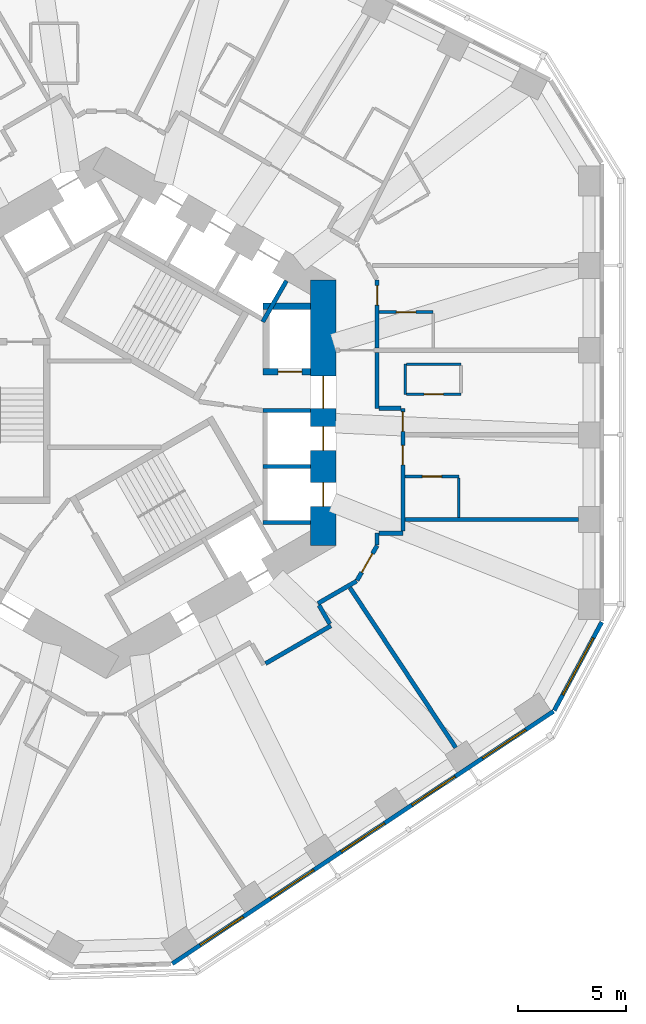
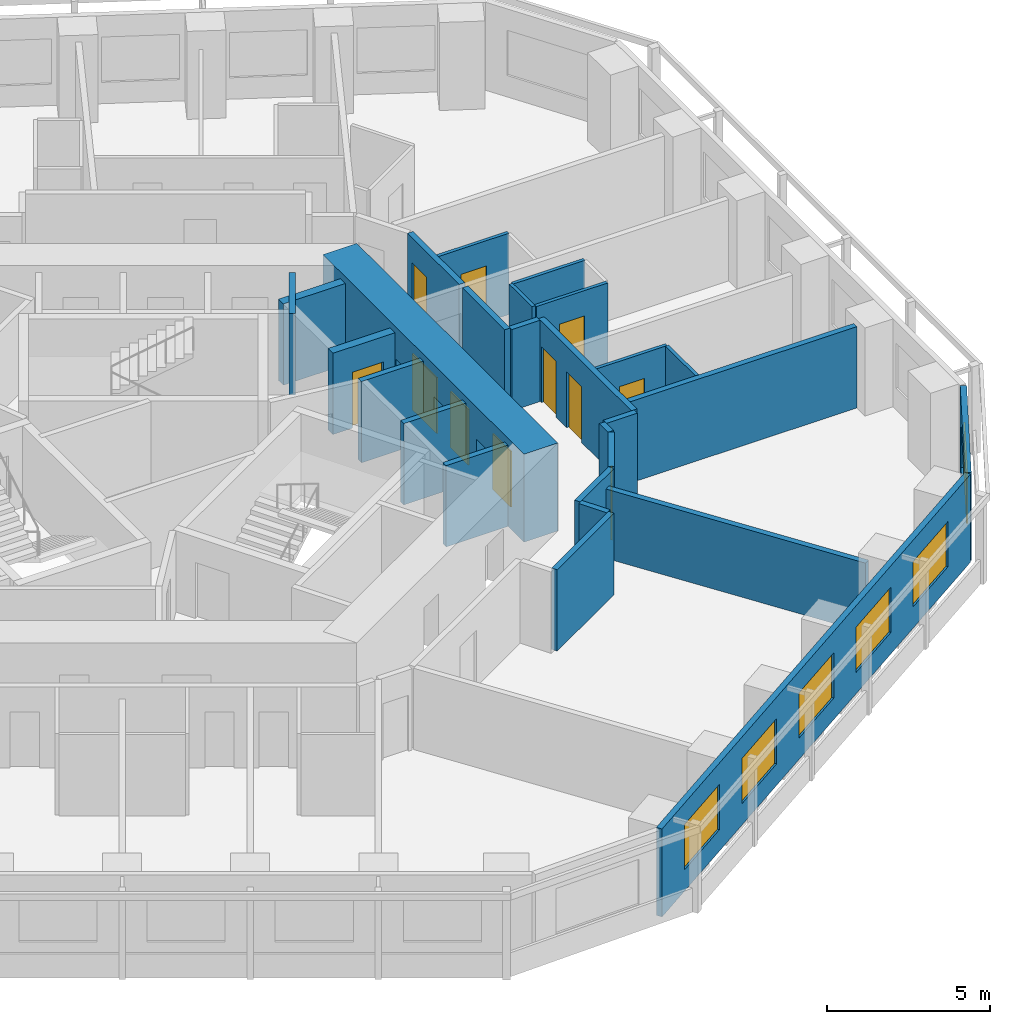
# One storey, part 6 of 12: 27 walls, 11 doors, 6 windows, 17 openings.
"""IFC4 building model written with IfcOpenShell, lengths in metres."""

from ifc_helpers import new_model, si_unit, direction, frame, frame_2d, origin, place, context, subcontext, project, spatial, rectangle, extrude, material, layer, layer_set, type_object, element, fill, save


model = new_model("IFC4")

# Units and contexts
model_context = context("Model", 3, precision=1e-05, world=origin(), true_north=direction((0.0, 1.0)))
body_context = subcontext(model_context, "Body", "Model", "MODEL_VIEW")
ifc_project = project(units=[si_unit("LENGTHUNIT", "METRE"), si_unit("AREAUNIT", "SQUARE_METRE"), si_unit("VOLUMEUNIT", "CUBIC_METRE"), si_unit("PLANEANGLEUNIT", "RADIAN"), si_unit("MASSUNIT", "GRAM", prefix="KILO")], contexts=[model_context])

# Site, building, storey
site_placement = place(None, origin())
site = spatial("IfcSite", under=ifc_project, at=site_placement, CompositionType="ELEMENT")
building_placement = place(site_placement, origin())
building = spatial("IfcBuilding", under=site, at=building_placement, Name="Vanh Sen Convention Tower", CompositionType="ELEMENT")
storey_placement = place(building_placement, frame((0.0, 0.0, 86.89990234375)))
storey = spatial("IfcBuildingStorey", under=building, at=storey_placement, Name="L19", CompositionType="ELEMENT", Elevation=86.89990234375)

# Wall, opening, door
ifc_material_1 = material(Name="Moisture-resistant gypsum board on steel studs", Category="steel")
ifc_layer_1 = layer(ifc_material_1, 0.1201171875)
ifc_layer_set_1 = layer_set([ifc_layer_1], Name="Moisture-resistant gypsum board on steel studs")
wall_type_1 = type_object("IfcWallType", Name="Bathroom partition 120", PredefinedType="PARTITIONING", material=ifc_layer_set_1)
wall_1_placement = place(storey_placement, frame((12.699951171875, 4.677490234375, 0.0), z_axis=(0.0, 0.0, 1.0), x_axis=(1.0, 0.0, 0.0)))
wall_1 = element("IfcWall", 1, at=wall_1_placement, inside=storey, type_object=wall_type_1, Name="Bathroom partition 120", PredefinedType="PARTITIONING", context=body_context, shape_type="SweptSolid", body=[
    extrude(rectangle(XDim=2.5, YDim=0.1201171875, at=frame_2d((1.25, 0.0))), origin(), (0.0, 0.0, 1.0), 3.050048828125),
])
opening_1_placement = place(wall_1_placement, frame((0.800048828125, 0.0, 0.0)))
opening_1 = element("IfcOpeningElement", 2, at=opening_1_placement, cuts=wall_1, Name="Opening D19106", PredefinedType="OPENING", context=body_context, shape_type="SweptSolid", body=[
    extrude(rectangle(XDim=0.89990234375, YDim=2.10009765625, at=frame_2d((0.449951171875, 1.050048828125))), frame((0.0, 0.070068359375, 0.0), z_axis=(0.0, -1.0, 0.0), x_axis=(1.0, 0.0, 0.0)), (0.0, 0.0, 1.0), 0.14013671875),
])
ifc_material_2 = material(Name="Laminate door in steel frame", Category="steel")
door_type_1 = type_object("IfcDoorType", Name="En-suite door 900", OperationType="SINGLE_SWING_LEFT", PredefinedType="DOOR", material=ifc_material_2)
door_1_placement = place(opening_1_placement, origin())
door_1 = element("IfcDoor", 3, at=door_1_placement, inside=storey, type_object=door_type_1, Name="En-suite door D19106", OperationType="SINGLE_SWING_LEFT", OverallHeight=2.10009765625, OverallWidth=0.89990234375, PredefinedType="DOOR", context=body_context, shape_type="SweptSolid", body=[
    extrude(rectangle(XDim=0.89990234375, YDim=2.10009765625, at=frame_2d((0.449951171875, 1.050048828125))), frame((0.0, 0.02490234375, 0.0), z_axis=(0.0, -1.0, 0.0), x_axis=(1.0, 0.0, 0.0)), (0.0, 0.0, 1.0), 0.050048828125),
])
fill(opening_1, door_1)

wall_2_placement = place(storey_placement, frame((13.90087890625, -2.964599609375, 0.0), z_axis=(0.0, 0.0, 1.0), x_axis=(1.0, 0.0, 0.0)))
wall_2 = element("IfcWall", 4, at=wall_2_placement, inside=storey, type_object=wall_type_1, Name="Bathroom partition 120", PredefinedType="PARTITIONING", context=body_context, shape_type="SweptSolid", body=[
    extrude(rectangle(XDim=2.5, YDim=0.1201171875, at=frame_2d((1.25, 0.0))), origin(), (0.0, 0.0, 1.0), 3.050048828125),
])
opening_2_placement = place(wall_2_placement, frame((0.800048828125, 0.0, 0.0)))
opening_2 = element("IfcOpeningElement", 5, at=opening_2_placement, cuts=wall_2, Name="Opening D19102", PredefinedType="OPENING", context=body_context, shape_type="SweptSolid", body=[
    extrude(rectangle(XDim=0.89990234375, YDim=2.10009765625, at=frame_2d((0.449951171875, 1.050048828125))), frame((0.0, 0.070068359375, 0.0), z_axis=(0.0, -1.0, 0.0), x_axis=(1.0, 0.0, 0.0)), (0.0, 0.0, 1.0), 0.14013671875),
])
door_2_placement = place(opening_2_placement, origin())
door_2 = element("IfcDoor", 6, at=door_2_placement, inside=storey, type_object=door_type_1, Name="En-suite door D19102", OperationType="SINGLE_SWING_LEFT", OverallHeight=2.10009765625, OverallWidth=0.89990234375, PredefinedType="DOOR", context=body_context, shape_type="SweptSolid", body=[
    extrude(rectangle(XDim=0.89990234375, YDim=2.10009765625, at=frame_2d((0.449951171875, 1.050048828125))), frame((0.0, 0.02490234375, 0.0), z_axis=(0.0, -1.0, 0.0), x_axis=(1.0, 0.0, 0.0)), (0.0, 0.0, 1.0), 0.050048828125),
])
fill(opening_2, door_2)

# Walls
wall_3_placement = place(storey_placement, frame((13.89990234375, 0.852783203125, 0.0), z_axis=(0.0, 0.0, 1.0), x_axis=(0.0, 1.0, 0.0)))
element("IfcWall", 7, at=wall_3_placement, inside=storey, type_object=wall_type_1, Name="Bathroom partition 120", PredefinedType="PARTITIONING", context=body_context, shape_type="SweptSolid", body=[
    extrude(rectangle(XDim=1.39990234375, YDim=0.1201171875, at=frame_2d((0.699951171875, 0.0))), origin(), (0.0, 0.0, 1.0), 3.050048828125),
])
wall_4_placement = place(storey_placement, frame((13.9599609375, 2.252685546875, 0.0), z_axis=(0.0, 0.0, 1.0), x_axis=(1.0, 0.0, 0.0)))
element("IfcWall", 8, at=wall_4_placement, inside=storey, type_object=wall_type_1, Name="Bathroom partition 120", PredefinedType="PARTITIONING", context=body_context, shape_type="SweptSolid", body=[
    extrude(rectangle(XDim=2.5400390625, YDim=0.1201171875, at=frame_2d((1.27001953125, 0.0))), origin(), (0.0, 0.0, 1.0), 3.050048828125),
])
wall_5_placement = place(storey_placement, frame((16.40087890625, -3.024658203125, 0.0), z_axis=(0.0, 0.0, 1.0), x_axis=(0.0, -1.0, 0.0)))
element("IfcWall", 9, at=wall_5_placement, inside=storey, type_object=wall_type_1, Name="Bathroom partition 120", PredefinedType="PARTITIONING", context=body_context, shape_type="SweptSolid", body=[
    extrude(rectangle(XDim=1.83984375, YDim=0.1201171875, at=frame_2d((0.919921875, 0.0))), origin(), (0.0, 0.0, 1.0), 3.050048828125),
])

# Wall, opening, door
wall_6_placement = place(storey_placement, frame((16.5, 0.852783203125, 0.0), z_axis=(0.0, 0.0, 1.0), x_axis=(-1.0, 0.0, 0.0)))
wall_6 = element("IfcWall", 10, at=wall_6_placement, inside=storey, type_object=wall_type_1, Name="Bathroom partition 120", PredefinedType="PARTITIONING", context=body_context, shape_type="SweptSolid", body=[
    extrude(rectangle(XDim=2.5400390625, YDim=0.1201171875, at=frame_2d((1.27001953125, 0.0))), origin(), (0.0, 0.0, 1.0), 3.050048828125),
])
opening_3_placement = place(wall_6_placement, frame((0.820068359375, 0.0, 0.0)))
opening_3 = element("IfcOpeningElement", 11, at=opening_3_placement, cuts=wall_6, Name="Opening D19104", PredefinedType="OPENING", context=body_context, shape_type="SweptSolid", body=[
    extrude(rectangle(XDim=0.89990234375, YDim=2.10009765625, at=frame_2d((0.449951171875, 1.050048828125))), frame((0.0, 0.070068359375, 0.0), z_axis=(0.0, -1.0, 0.0), x_axis=(1.0, 0.0, 0.0)), (0.0, 0.0, 1.0), 0.14013671875),
])
door_3_placement = place(opening_3_placement, origin())
door_3 = element("IfcDoor", 12, at=door_3_placement, inside=storey, type_object=door_type_1, Name="En-suite door D19104", OperationType="SINGLE_SWING_LEFT", OverallHeight=2.10009765625, OverallWidth=0.89990234375, PredefinedType="DOOR", context=body_context, shape_type="SweptSolid", body=[
    extrude(rectangle(XDim=0.89990234375, YDim=2.10009765625, at=frame_2d((0.449951171875, 1.050048828125))), frame((0.0, 0.02490234375, 0.0), z_axis=(0.0, -1.0, 0.0), x_axis=(1.0, 0.0, 0.0)), (0.0, 0.0, 1.0), 0.050048828125),
])
fill(opening_3, door_3)

# Wall, openings, doors
ifc_material_3 = material(Name="Concrete C80/95", Category="concrete")
ifc_layer_2 = layer(ifc_material_3, 1.199951171875)
ifc_layer_set_2 = layer_set([ifc_layer_2], Name="Concrete C80/95")
wall_type_2 = type_object("IfcWallType", Name="Core outer wall 1200 C80/95", PredefinedType="SHEAR", material=ifc_layer_set_2)
wall_7_placement = place(storey_placement, frame((10.10009765625, -6.177490234375, 0.0), z_axis=(0.0, 0.0, 1.0), x_axis=(0.0, 1.0, 0.0)))
wall_7 = element("IfcWall", 13, at=wall_7_placement, inside=storey, type_object=wall_type_2, Name="Core wall face E L19", PredefinedType="SHEAR", context=body_context, shape_type="SweptSolid", body=[
    extrude(rectangle(XDim=12.35498046875, YDim=1.199951171875, at=frame_2d((6.177490234375, 0.0))), origin(), (0.0, 0.0, 1.0), 3.300048828125),
])
opening_4_placement = place(wall_7_placement, frame((6.377685546875, 0.0, 0.0)))
opening_4 = element("IfcOpeningElement", 14, at=opening_4_placement, cuts=wall_7, Name="Opening D19001", PredefinedType="OPENING", context=body_context, shape_type="SweptSolid", body=[
    extrude(rectangle(XDim=1.5, YDim=2.10009765625, at=frame_2d((0.75, 1.050048828125))), frame((0.0, 0.60986328125, 0.0), z_axis=(0.0, -1.0, 0.0), x_axis=(1.0, 0.0, 0.0)), (0.0, 0.0, 1.0), 1.219970703125),
])
opening_5_placement = place(wall_7_placement, frame((1.82763671875, 0.0, 0.0)))
opening_5 = element("IfcOpeningElement", 15, at=opening_5_placement, cuts=wall_7, Name="Opening LD-LR1", PredefinedType="OPENING", context=body_context, shape_type="SweptSolid", body=[
    extrude(rectangle(XDim=1.10009765625, YDim=2.10009765625, at=frame_2d((0.550048828125, 1.050048828125))), frame((0.0, 0.60986328125, 0.0), z_axis=(0.0, -1.0, 0.0), x_axis=(1.0, 0.0, 0.0)), (0.0, 0.0, 1.0), 1.219970703125),
])
opening_6_placement = place(wall_7_placement, frame((4.427490234375, 0.0, 0.0)))
opening_6 = element("IfcOpeningElement", 16, at=opening_6_placement, cuts=wall_7, Name="Opening LD-LR2", PredefinedType="OPENING", context=body_context, shape_type="SweptSolid", body=[
    extrude(rectangle(XDim=1.10009765625, YDim=2.10009765625, at=frame_2d((0.550048828125, 1.050048828125))), frame((0.0, 0.60986328125, 0.0), z_axis=(0.0, -1.0, 0.0), x_axis=(1.0, 0.0, 0.0)), (0.0, 0.0, 1.0), 1.219970703125),
])
ifc_material_4 = material(Name="Stainless steel", Category="steel")
door_type_2 = type_object("IfcDoorType", Name="Lift landing door 1100", OperationType="DOUBLE_DOOR_SLIDING", PredefinedType="DOOR", material=ifc_material_4)
door_4_placement = place(opening_5_placement, origin())
door_4 = element("IfcDoor", 17, at=door_4_placement, inside=storey, type_object=door_type_2, Name="Lift LR1 landing door LD-LR1", OperationType="DOUBLE_DOOR_SLIDING", OverallHeight=2.10009765625, OverallWidth=1.10009765625, PredefinedType="DOOR", context=body_context, shape_type="SweptSolid", body=[
    extrude(rectangle(XDim=1.10009765625, YDim=2.10009765625, at=frame_2d((0.550048828125, 1.050048828125))), frame((0.0, 0.02490234375, 0.0), z_axis=(0.0, -1.0, 0.0), x_axis=(1.0, 0.0, 0.0)), (0.0, 0.0, 1.0), 0.050048828125),
])
fill(opening_5, door_4)
door_5_placement = place(opening_6_placement, origin())
door_5 = element("IfcDoor", 18, at=door_5_placement, inside=storey, type_object=door_type_2, Name="Lift LR2 landing door LD-LR2", OperationType="DOUBLE_DOOR_SLIDING", OverallHeight=2.10009765625, OverallWidth=1.10009765625, PredefinedType="DOOR", context=body_context, shape_type="SweptSolid", body=[
    extrude(rectangle(XDim=1.10009765625, YDim=2.10009765625, at=frame_2d((0.550048828125, 1.050048828125))), frame((0.0, 0.02490234375, 0.0), z_axis=(0.0, -1.0, 0.0), x_axis=(1.0, 0.0, 0.0)), (0.0, 0.0, 1.0), 0.050048828125),
])
fill(opening_6, door_5)
ifc_material_5 = material(Name="Steel S355", Category="steel")
door_type_3 = type_object("IfcDoorType", Name="Stair lobby door 1500", OperationType="DOUBLE_DOOR_SINGLE_SWING", PredefinedType="DOOR", material=ifc_material_5)
door_6_placement = place(opening_4_placement, origin())
door_6 = element("IfcDoor", 19, at=door_6_placement, inside=storey, type_object=door_type_3, Name="Stair lobby door D19001", OperationType="DOUBLE_DOOR_SINGLE_SWING", OverallHeight=2.10009765625, OverallWidth=1.5, PredefinedType="DOOR", context=body_context, shape_type="SweptSolid", body=[
    extrude(rectangle(XDim=1.5, YDim=2.10009765625, at=frame_2d((0.75, 1.050048828125))), frame((0.0, 0.02490234375, 0.0), z_axis=(0.0, -1.0, 0.0), x_axis=(1.0, 0.0, 0.0)), (0.0, 0.0, 1.0), 0.050048828125),
])
fill(opening_4, door_6)

# Walls
ifc_material_6 = material(Name="Gypsum board on steel studs with mineral wool", Category="steel")
ifc_layer_3 = layer(ifc_material_6, 0.199951171875)
ifc_layer_set_3 = layer_set([ifc_layer_3], Name="Gypsum board on steel studs with mineral wool")
wall_type_3 = type_object("IfcWallType", Name="Corridor partition wall 200", PredefinedType="PARTITIONING", material=ifc_layer_set_3)
wall_8_placement = place(storey_placement, frame((7.419189453125, -11.652587890625, 0.0), z_axis=(0.0, 0.0, 1.0), x_axis=(0.866038154057, 0.49997791523, 0.0)))
element("IfcWall", 20, at=wall_8_placement, inside=storey, type_object=wall_type_3, Name="Corridor partition wall 200", PredefinedType="PARTITIONING", context=body_context, shape_type="SweptSolid", body=[
    extrude(rectangle(XDim=3.502197265625, YDim=0.199951171875, at=frame_2d((1.7509765625, 0.0))), origin(), (0.0, 0.0, 1.0), 3.050048828125),
])
wall_9_placement = place(storey_placement, frame((9.8515625, -8.861328125, 0.0), z_axis=(0.0, 0.0, 1.0), x_axis=(0.866013291437, 0.500020978615, 0.0)))
element("IfcWall", 21, at=wall_9_placement, inside=storey, type_object=wall_type_3, Name="Corridor partition wall 200", PredefinedType="PARTITIONING", context=body_context, shape_type="SweptSolid", body=[
    extrude(rectangle(XDim=2.07666015625, YDim=0.199951171875, at=frame_2d((1.038330078125, 0.0))), origin(), (0.0, 0.0, 1.0), 3.050048828125),
])
wall_10_placement = place(storey_placement, frame((10.402099609375, -9.81494140625, 0.0), z_axis=(0.0, 0.0, 1.0), x_axis=(-0.499968756647, 0.866043441391, 0.0)))
element("IfcWall", 22, at=wall_10_placement, inside=storey, type_object=wall_type_3, Name="Corridor partition wall 200", PredefinedType="PARTITIONING", context=body_context, shape_type="SweptSolid", body=[
    extrude(rectangle(XDim=1.0009765625, YDim=0.199951171875, at=frame_2d((0.50048828125, 0.0))), origin(), (0.0, 0.0, 1.0), 3.050048828125),
])

# Wall, opening, door
wall_11_placement = place(storey_placement, frame((11.669921875, -7.788330078125, 0.0), z_axis=(0.0, 0.0, 1.0), x_axis=(0.500063286585, 0.865988862174, 0.0)))
wall_11 = element("IfcWall", 23, at=wall_11_placement, inside=storey, type_object=wall_type_3, Name="Corridor partition wall 200", PredefinedType="PARTITIONING", context=body_context, shape_type="SweptSolid", body=[
    extrude(rectangle(XDim=1.860107421875, YDim=0.199951171875, at=frame_2d((0.93017578125, 0.0))), origin(), (0.0, 0.0, 1.0), 3.050048828125),
])
opening_7_placement = place(wall_11_placement, frame((0.429931640625, 0.0, 0.0)))
opening_7 = element("IfcOpeningElement", 24, at=opening_7_placement, cuts=wall_11, Name="Opening D19139", PredefinedType="OPENING", context=body_context, shape_type="SweptSolid", body=[
    extrude(rectangle(XDim=1.0, YDim=2.10009765625, at=frame_2d((0.5, 1.050048828125))), frame((0.0, 0.10986328125, 0.0), z_axis=(0.0, -1.0, 0.0), x_axis=(1.0, 0.0, 0.0)), (0.0, 0.0, 1.0), 0.219970703125),
])
ifc_material_7 = material(Name="Timber fire door in steel frame", Category="steel")
door_type_4 = type_object("IfcDoorType", Name="Floor room door 1000", OperationType="SINGLE_SWING_LEFT", PredefinedType="DOOR", material=ifc_material_7)
door_7_placement = place(opening_7_placement, origin())
door_7 = element("IfcDoor", 25, at=door_7_placement, inside=storey, type_object=door_type_4, Name="Meeting and amenity room door D19139", OperationType="SINGLE_SWING_LEFT", OverallHeight=2.10009765625, OverallWidth=1.0, PredefinedType="DOOR", context=body_context, shape_type="SweptSolid", body=[
    extrude(rectangle(XDim=1.0, YDim=2.10009765625, at=frame_2d((0.5, 1.050048828125))), frame((0.0, 0.02490234375, 0.0), z_axis=(0.0, -1.0, 0.0), x_axis=(1.0, 0.0, 0.0)), (0.0, 0.0, 1.0), 0.050048828125),
])
fill(opening_7, door_7)

# Walls
wall_12_placement = place(storey_placement, frame((12.60009765625, -6.1376953125, 0.0), z_axis=(0.0, 0.0, 1.0), x_axis=(0.0, 1.0, 0.0)))
element("IfcWall", 26, at=wall_12_placement, inside=storey, type_object=wall_type_3, Name="Corridor partition wall 200", PredefinedType="PARTITIONING", context=body_context, shape_type="SweptSolid", body=[
    extrude(rectangle(XDim=0.53662109375, YDim=0.199951171875, at=frame_2d((0.268310546875, 0.0))), origin(), (0.0, 0.0, 1.0), 3.050048828125),
])
wall_13_placement = place(storey_placement, frame((12.60009765625, 0.200927734375, 0.0), z_axis=(0.0, 0.0, 1.0), x_axis=(0.0, 1.0, 0.0)))
element("IfcWall", 27, at=wall_13_placement, inside=storey, type_object=wall_type_3, Name="Corridor partition wall 200", PredefinedType="PARTITIONING", context=body_context, shape_type="SweptSolid", body=[
    extrude(rectangle(XDim=2.603515625, YDim=0.199951171875, at=frame_2d((1.3017578125, 0.0))), origin(), (0.0, 0.0, 1.0), 3.050048828125),
])

# Wall, opening, door
wall_14_placement = place(storey_placement, frame((12.60009765625, 3.00439453125, 0.0), z_axis=(0.0, 0.0, 1.0), x_axis=(0.0, 1.0, 0.0)))
wall_14 = element("IfcWall", 28, at=wall_14_placement, inside=storey, type_object=wall_type_3, Name="Corridor partition wall 200", PredefinedType="PARTITIONING", context=body_context, shape_type="SweptSolid", body=[
    extrude(rectangle(XDim=3.173095703125, YDim=0.199951171875, at=frame_2d((1.58642578125, 0.0))), origin(), (0.0, 0.0, 1.0), 3.050048828125),
])
opening_8_placement = place(wall_14_placement, frame((1.998046875, 0.0, 0.0)))
opening_8 = element("IfcOpeningElement", 29, at=opening_8_placement, cuts=wall_14, Name="Opening D19105", PredefinedType="OPENING", context=body_context, shape_type="SweptSolid", body=[
    extrude(rectangle(XDim=0.89990234375, YDim=2.10009765625, at=frame_2d((0.449951171875, 1.050048828125))), frame((0.0, 0.10986328125, 0.0), z_axis=(0.0, -1.0, 0.0), x_axis=(1.0, 0.0, 0.0)), (0.0, 0.0, 1.0), 0.219970703125),
])
door_type_5 = type_object("IfcDoorType", Name="Guest room door 900", OperationType="SINGLE_SWING_LEFT", PredefinedType="DOOR", material=ifc_material_7)
door_8_placement = place(opening_8_placement, origin())
door_8 = element("IfcDoor", 30, at=door_8_placement, inside=storey, type_object=door_type_5, Name="Hotel guest room door D19105", OperationType="SINGLE_SWING_LEFT", OverallHeight=2.10009765625, OverallWidth=0.89990234375, PredefinedType="DOOR", context=body_context, shape_type="SweptSolid", body=[
    extrude(rectangle(XDim=0.89990234375, YDim=2.10009765625, at=frame_2d((0.449951171875, 1.050048828125))), frame((0.0, 0.02490234375, 0.0), z_axis=(0.0, -1.0, 0.0), x_axis=(1.0, 0.0, 0.0)), (0.0, 0.0, 1.0), 0.050048828125),
])
fill(opening_8, door_8)

# Walls
wall_15_placement = place(storey_placement, frame((12.699951171875, -5.60107421875, 0.0), z_axis=(0.0, 0.0, 1.0), x_axis=(1.0, 0.0, 0.0)))
element("IfcWall", 31, at=wall_15_placement, inside=storey, type_object=wall_type_3, Name="Corridor partition wall 200", PredefinedType="PARTITIONING", context=body_context, shape_type="SweptSolid", body=[
    extrude(rectangle(XDim=1.10107421875, YDim=0.199951171875, at=frame_2d((0.550537109375, 0.0))), origin(), (0.0, 0.0, 1.0), 3.050048828125),
])
wall_16_placement = place(storey_placement, frame((13.700927734375, 0.200927734375, 0.0), z_axis=(0.0, 0.0, 1.0), x_axis=(-1.0, 0.0, 0.0)))
element("IfcWall", 32, at=wall_16_placement, inside=storey, type_object=wall_type_3, Name="Corridor partition wall 200", PredefinedType="PARTITIONING", context=body_context, shape_type="SweptSolid", body=[
    extrude(rectangle(XDim=1.0009765625, YDim=0.199951171875, at=frame_2d((0.50048828125, 0.0))), origin(), (0.0, 0.0, 1.0), 3.050048828125),
])

# Wall, openings, doors
wall_17_placement = place(storey_placement, frame((13.801025390625, -5.5009765625, 0.0), z_axis=(0.0, 0.0, 1.0), x_axis=(0.0, 1.0, 0.0)))
wall_17 = element("IfcWall", 33, at=wall_17_placement, inside=storey, type_object=wall_type_3, Name="Corridor partition wall 200", PredefinedType="PARTITIONING", context=body_context, shape_type="SweptSolid", body=[
    extrude(rectangle(XDim=5.701904296875, YDim=0.199951171875, at=frame_2d((2.85107421875, 0.0))), origin(), (0.0, 0.0, 1.0), 3.050048828125),
])
opening_9_placement = place(wall_17_placement, frame((3.07861328125, 0.0, 0.0)))
opening_9 = element("IfcOpeningElement", 34, at=opening_9_placement, cuts=wall_17, Name="Opening D19101", PredefinedType="OPENING", context=body_context, shape_type="SweptSolid", body=[
    extrude(rectangle(XDim=0.89990234375, YDim=2.10009765625, at=frame_2d((0.449951171875, 1.050048828125))), frame((0.0, 0.10986328125, 0.0), z_axis=(0.0, -1.0, 0.0), x_axis=(1.0, 0.0, 0.0)), (0.0, 0.0, 1.0), 0.219970703125),
])
opening_10_placement = place(wall_17_placement, frame((4.636474609375, 0.0, 0.0)))
opening_10 = element("IfcOpeningElement", 35, at=opening_10_placement, cuts=wall_17, Name="Opening D19103", PredefinedType="OPENING", context=body_context, shape_type="SweptSolid", body=[
    extrude(rectangle(XDim=0.89990234375, YDim=2.10009765625, at=frame_2d((0.449951171875, 1.050048828125))), frame((0.0, 0.10986328125, 0.0), z_axis=(0.0, -1.0, 0.0), x_axis=(1.0, 0.0, 0.0)), (0.0, 0.0, 1.0), 0.219970703125),
])
door_9_placement = place(opening_9_placement, origin())
door_9 = element("IfcDoor", 36, at=door_9_placement, inside=storey, type_object=door_type_5, Name="Hotel guest room door D19101", OperationType="SINGLE_SWING_LEFT", OverallHeight=2.10009765625, OverallWidth=0.89990234375, PredefinedType="DOOR", context=body_context, shape_type="SweptSolid", body=[
    extrude(rectangle(XDim=0.89990234375, YDim=2.10009765625, at=frame_2d((0.449951171875, 1.050048828125))), frame((0.0, 0.02490234375, 0.0), z_axis=(0.0, -1.0, 0.0), x_axis=(1.0, 0.0, 0.0)), (0.0, 0.0, 1.0), 0.050048828125),
])
fill(opening_9, door_9)
door_10_placement = place(opening_10_placement, origin())
door_10 = element("IfcDoor", 37, at=door_10_placement, inside=storey, type_object=door_type_5, Name="Hotel guest room door D19103", OperationType="SINGLE_SWING_LEFT", OverallHeight=2.10009765625, OverallWidth=0.89990234375, PredefinedType="DOOR", context=body_context, shape_type="SweptSolid", body=[
    extrude(rectangle(XDim=0.89990234375, YDim=2.10009765625, at=frame_2d((0.449951171875, 1.050048828125))), frame((0.0, 0.02490234375, 0.0), z_axis=(0.0, -1.0, 0.0), x_axis=(1.0, 0.0, 0.0)), (0.0, 0.0, 1.0), 0.050048828125),
])
fill(opening_10, door_10)

# Wall, openings, windows
ifc_material_8 = material(Name="Insulated lightweight infill wall")
ifc_layer_4 = layer(ifc_material_8, 0.199951171875)
ifc_layer_set_4 = layer_set([ifc_layer_4], Name="Insulated lightweight infill wall")
wall_type_4 = type_object("IfcWallType", Name="External wall 200", PredefinedType="STANDARD", material=ifc_layer_set_4)
wall_18_placement = place(storey_placement, frame((3.0830078125, -25.60107421875, 0.0), z_axis=(0.0, 0.0, 1.0), x_axis=(0.833884295743, 0.551939291329, 0.0)))
wall_18 = element("IfcWall", 38, at=wall_18_placement, inside=storey, type_object=wall_type_4, Name="External wall SE L19", PredefinedType="STANDARD", context=body_context, shape_type="SweptSolid", body=[
    extrude(rectangle(XDim=21.24609375, YDim=0.199951171875, at=frame_2d((10.623046875, 0.0))), origin(), (0.0, 0.0, 1.0), 3.300048828125),
])
opening_11_placement = place(wall_18_placement, frame((1.552978515625, 0.0, 0.800048828125)))
opening_11 = element("IfcOpeningElement", 39, at=opening_11_placement, cuts=wall_18, Name="Opening WH1-SE1", PredefinedType="OPENING", context=body_context, shape_type="SweptSolid", body=[
    extrude(rectangle(XDim=2.39990234375, YDim=1.699951171875, at=frame_2d((1.199951171875, 0.85009765625))), frame((0.0, 0.10986328125, 0.0), z_axis=(0.0, -1.0, 0.0), x_axis=(1.0, 0.0, 0.0)), (0.0, 0.0, 1.0), 0.219970703125),
])
opening_12_placement = place(wall_18_placement, frame((5.487548828125, 0.0, 0.800048828125)))
opening_12 = element("IfcOpeningElement", 40, at=opening_12_placement, cuts=wall_18, Name="Opening WH1-SE2", PredefinedType="OPENING", context=body_context, shape_type="SweptSolid", body=[
    extrude(rectangle(XDim=2.39990234375, YDim=1.699951171875, at=frame_2d((1.199951171875, 0.85009765625))), frame((0.0, 0.10986328125, 0.0), z_axis=(0.0, -1.0, 0.0), x_axis=(1.0, 0.0, 0.0)), (0.0, 0.0, 1.0), 0.219970703125),
])
opening_13_placement = place(wall_18_placement, frame((9.422119140625, 0.0, 0.800048828125)))
opening_13 = element("IfcOpeningElement", 41, at=opening_13_placement, cuts=wall_18, Name="Opening WH1-SE3", PredefinedType="OPENING", context=body_context, shape_type="SweptSolid", body=[
    extrude(rectangle(XDim=2.39990234375, YDim=1.699951171875, at=frame_2d((1.199951171875, 0.85009765625))), frame((0.0, 0.10986328125, 0.0), z_axis=(0.0, -1.0, 0.0), x_axis=(1.0, 0.0, 0.0)), (0.0, 0.0, 1.0), 0.219970703125),
])
opening_14_placement = place(wall_18_placement, frame((13.356689453125, 0.0, 0.800048828125)))
opening_14 = element("IfcOpeningElement", 42, at=opening_14_placement, cuts=wall_18, Name="Opening WH1-SE4", PredefinedType="OPENING", context=body_context, shape_type="SweptSolid", body=[
    extrude(rectangle(XDim=2.39990234375, YDim=1.699951171875, at=frame_2d((1.199951171875, 0.85009765625))), frame((0.0, 0.10986328125, 0.0), z_axis=(0.0, -1.0, 0.0), x_axis=(1.0, 0.0, 0.0)), (0.0, 0.0, 1.0), 0.219970703125),
])
opening_15_placement = place(wall_18_placement, frame((17.291259765625, 0.0, 0.800048828125)))
opening_15 = element("IfcOpeningElement", 43, at=opening_15_placement, cuts=wall_18, Name="Opening WH1-SE5", PredefinedType="OPENING", context=body_context, shape_type="SweptSolid", body=[
    extrude(rectangle(XDim=2.39990234375, YDim=1.699951171875, at=frame_2d((1.199951171875, 0.85009765625))), frame((0.0, 0.10986328125, 0.0), z_axis=(0.0, -1.0, 0.0), x_axis=(1.0, 0.0, 0.0)), (0.0, 0.0, 1.0), 0.219970703125),
])
ifc_material_9 = material(Name="Aluminium frame with clear low-emissivity glass", Category="aluminium")
window_type_1 = type_object("IfcWindowType", Name="Hotel window 2400 x 1700", PartitioningType="SINGLE_PANEL", PredefinedType="WINDOW", material=ifc_material_9)
window_1_placement = place(opening_11_placement, origin())
window_1 = element("IfcWindow", 44, at=window_1_placement, inside=storey, type_object=window_type_1, Name="Window WH1-SE1", OverallHeight=1.699951171875, OverallWidth=2.39990234375, PartitioningType="SINGLE_PANEL", PredefinedType="WINDOW", context=body_context, shape_type="SweptSolid", body=[
    extrude(rectangle(XDim=2.39990234375, YDim=1.699951171875, at=frame_2d((1.199951171875, 0.85009765625))), frame((0.0, 0.030029296875, 0.0), z_axis=(0.0, -1.0, 0.0), x_axis=(1.0, 0.0, 0.0)), (0.0, 0.0, 1.0), 0.06005859375),
])
fill(opening_11, window_1)
window_2_placement = place(opening_12_placement, origin())
window_2 = element("IfcWindow", 45, at=window_2_placement, inside=storey, type_object=window_type_1, Name="Window WH1-SE2", OverallHeight=1.699951171875, OverallWidth=2.39990234375, PartitioningType="SINGLE_PANEL", PredefinedType="WINDOW", context=body_context, shape_type="SweptSolid", body=[
    extrude(rectangle(XDim=2.39990234375, YDim=1.699951171875, at=frame_2d((1.199951171875, 0.85009765625))), frame((0.0, 0.030029296875, 0.0), z_axis=(0.0, -1.0, 0.0), x_axis=(1.0, 0.0, 0.0)), (0.0, 0.0, 1.0), 0.06005859375),
])
fill(opening_12, window_2)
window_3_placement = place(opening_13_placement, origin())
window_3 = element("IfcWindow", 46, at=window_3_placement, inside=storey, type_object=window_type_1, Name="Window WH1-SE3", OverallHeight=1.699951171875, OverallWidth=2.39990234375, PartitioningType="SINGLE_PANEL", PredefinedType="WINDOW", context=body_context, shape_type="SweptSolid", body=[
    extrude(rectangle(XDim=2.39990234375, YDim=1.699951171875, at=frame_2d((1.199951171875, 0.85009765625))), frame((0.0, 0.030029296875, 0.0), z_axis=(0.0, -1.0, 0.0), x_axis=(1.0, 0.0, 0.0)), (0.0, 0.0, 1.0), 0.06005859375),
])
fill(opening_13, window_3)
window_4_placement = place(opening_14_placement, origin())
window_4 = element("IfcWindow", 47, at=window_4_placement, inside=storey, type_object=window_type_1, Name="Window WH1-SE4", OverallHeight=1.699951171875, OverallWidth=2.39990234375, PartitioningType="SINGLE_PANEL", PredefinedType="WINDOW", context=body_context, shape_type="SweptSolid", body=[
    extrude(rectangle(XDim=2.39990234375, YDim=1.699951171875, at=frame_2d((1.199951171875, 0.85009765625))), frame((0.0, 0.030029296875, 0.0), z_axis=(0.0, -1.0, 0.0), x_axis=(1.0, 0.0, 0.0)), (0.0, 0.0, 1.0), 0.06005859375),
])
fill(opening_14, window_4)
window_5_placement = place(opening_15_placement, origin())
window_5 = element("IfcWindow", 48, at=window_5_placement, inside=storey, type_object=window_type_1, Name="Window WH1-SE5", OverallHeight=1.699951171875, OverallWidth=2.39990234375, PartitioningType="SINGLE_PANEL", PredefinedType="WINDOW", context=body_context, shape_type="SweptSolid", body=[
    extrude(rectangle(XDim=2.39990234375, YDim=1.699951171875, at=frame_2d((1.199951171875, 0.85009765625))), frame((0.0, 0.030029296875, 0.0), z_axis=(0.0, -1.0, 0.0), x_axis=(1.0, 0.0, 0.0)), (0.0, 0.0, 1.0), 0.06005859375),
])
fill(opening_15, window_5)

# Wall, opening, window
wall_19_placement = place(storey_placement, frame((20.83251953125, -13.838623046875, 0.0), z_axis=(0.0, 0.0, 1.0), x_axis=(0.473321668581, 0.880889662813, 0.0)))
wall_19 = element("IfcWall", 49, at=wall_19_placement, inside=storey, type_object=wall_type_4, Name="External wall CH6 L19", PredefinedType="STANDARD", context=body_context, shape_type="SweptSolid", body=[
    extrude(rectangle(XDim=4.65966796875, YDim=0.199951171875, at=frame_2d((2.329833984375, 0.0))), origin(), (0.0, 0.0, 1.0), 3.300048828125),
])
opening_16_placement = place(wall_19_placement, frame((0.829833984375, 0.0, 0.800048828125)))
opening_16 = element("IfcOpeningElement", 50, at=opening_16_placement, cuts=wall_19, Name="Opening WH2-CH61", PredefinedType="OPENING", context=body_context, shape_type="SweptSolid", body=[
    extrude(rectangle(XDim=3.0, YDim=1.699951171875, at=frame_2d((1.5, 0.85009765625))), frame((0.0, 0.10986328125, 0.0), z_axis=(0.0, -1.0, 0.0), x_axis=(1.0, 0.0, 0.0)), (0.0, 0.0, 1.0), 0.219970703125),
])
window_type_2 = type_object("IfcWindowType", Name="Hotel window 3000 x 1700", PartitioningType="SINGLE_PANEL", PredefinedType="WINDOW", material=ifc_material_9)
window_6_placement = place(opening_16_placement, origin())
window_6 = element("IfcWindow", 51, at=window_6_placement, inside=storey, type_object=window_type_2, Name="Window WH2-CH61", OverallHeight=1.699951171875, OverallWidth=3.0, PartitioningType="SINGLE_PANEL", PredefinedType="WINDOW", context=body_context, shape_type="SweptSolid", body=[
    extrude(rectangle(XDim=3.0, YDim=1.699951171875, at=frame_2d((1.5, 0.85009765625))), frame((0.0, 0.030029296875, 0.0), z_axis=(0.0, -1.0, 0.0), x_axis=(1.0, 0.0, 0.0)), (0.0, 0.0, 1.0), 0.06005859375),
])
fill(opening_16, window_6)

# Wall, opening, door
ifc_material_10 = material(Name="Concrete C60/75", Category="concrete")
ifc_layer_5 = layer(ifc_material_10, 0.300048828125)
ifc_layer_set_5 = layer_set([ifc_layer_5], Name="Concrete C60/75")
wall_type_5 = type_object("IfcWallType", Name="Fire-fighting lift shaft wall 300", PredefinedType="SHEAR", material=ifc_layer_set_5)
wall_20_placement = place(storey_placement, frame((7.300048828125, 1.89990234375, 0.0), z_axis=(0.0, 0.0, 1.0), x_axis=(1.0, 0.0, 0.0)))
wall_20 = element("IfcWall", 52, at=wall_20_placement, inside=storey, type_object=wall_type_5, Name="Fire-fighting lift shaft wall L19", PredefinedType="SHEAR", context=body_context, shape_type="SweptSolid", body=[
    extrude(rectangle(XDim=2.199951171875, YDim=0.300048828125, at=frame_2d((1.10009765625, 0.0))), origin(), (0.0, 0.0, 1.0), 3.050048828125),
])
opening_17_placement = place(wall_20_placement, frame((0.699951171875, 0.0, 0.0)))
opening_17 = element("IfcOpeningElement", 53, at=opening_17_placement, cuts=wall_20, Name="Opening LD-FF1", PredefinedType="OPENING", context=body_context, shape_type="SweptSolid", body=[
    extrude(rectangle(XDim=1.10009765625, YDim=2.10009765625, at=frame_2d((0.550048828125, 1.050048828125))), frame((0.0, 0.159912109375, 0.0), z_axis=(0.0, -1.0, 0.0), x_axis=(1.0, 0.0, 0.0)), (0.0, 0.0, 1.0), 0.320068359375),
])
door_type_6 = type_object("IfcDoorType", Name="Fire-fighting lift landing door 1100", OperationType="DOUBLE_DOOR_SLIDING", PredefinedType="DOOR", material=ifc_material_4)
door_11_placement = place(opening_17_placement, origin())
door_11 = element("IfcDoor", 54, at=door_11_placement, inside=storey, type_object=door_type_6, Name="Lift FF1 landing door LD-FF1", OperationType="DOUBLE_DOOR_SLIDING", OverallHeight=2.10009765625, OverallWidth=1.10009765625, PredefinedType="DOOR", context=body_context, shape_type="SweptSolid", body=[
    extrude(rectangle(XDim=1.10009765625, YDim=2.10009765625, at=frame_2d((0.550048828125, 1.050048828125))), frame((0.0, 0.02490234375, 0.0), z_axis=(0.0, -1.0, 0.0), x_axis=(1.0, 0.0, 0.0)), (0.0, 0.0, 1.0), 0.050048828125),
])
fill(opening_17, door_11)

# Walls
wall_21_placement = place(storey_placement, frame((7.300048828125, 4.949951171875, 0.0), z_axis=(0.0, 0.0, 1.0), x_axis=(1.0, 0.0, 0.0)))
element("IfcWall", 55, at=wall_21_placement, inside=storey, type_object=wall_type_5, Name="Fire-fighting lift shaft wall L19", PredefinedType="SHEAR", context=body_context, shape_type="SweptSolid", body=[
    extrude(rectangle(XDim=2.199951171875, YDim=0.300048828125, at=frame_2d((1.10009765625, 0.0))), origin(), (0.0, 0.0, 1.0), 3.050048828125),
])
ifc_layer_6 = layer(ifc_material_6, 0.199951171875)
ifc_layer_set_6 = layer_set([ifc_layer_6], Name="Gypsum board on steel studs with mineral wool")
wall_type_6 = type_object("IfcWallType", Name="Hotel party wall 200", PredefinedType="PARTITIONING", material=ifc_layer_set_6)
wall_22_placement = place(storey_placement, frame((13.90087890625, -4.964599609375, 0.0), z_axis=(0.0, 0.0, 1.0), x_axis=(1.0, 0.0, 0.0)))
element("IfcWall", 56, at=wall_22_placement, inside=storey, type_object=wall_type_6, Name="Hotel party wall 200", PredefinedType="PARTITIONING", context=body_context, shape_type="SweptSolid", body=[
    extrude(rectangle(XDim=8.049072265625, YDim=0.199951171875, at=frame_2d((4.0244140625, 0.0))), origin(), (0.0, 0.0, 1.0), 3.050048828125),
])
wall_23_placement = place(storey_placement, frame((16.2548828125, -15.563720703125, 0.0), z_axis=(0.0, 0.0, 1.0), x_axis=(-0.55192208744, 0.833895682562, 0.0)))
element("IfcWall", 57, at=wall_23_placement, inside=storey, type_object=wall_type_6, Name="Hotel party wall 200", PredefinedType="PARTITIONING", context=body_context, shape_type="SweptSolid", body=[
    extrude(rectangle(XDim=8.912841796875, YDim=0.199951171875, at=frame_2d((4.45654296875, 0.0))), origin(), (0.0, 0.0, 1.0), 2.60009765625),
])
ifc_material_11 = material(Name="Concrete C40/50", Category="concrete")
ifc_layer_7 = layer(ifc_material_11, 0.199951171875)
ifc_layer_set_7 = layer_set([ifc_layer_7], Name="Concrete C40/50")
wall_type_7 = type_object("IfcWallType", Name="Lift shaft wall 200", PredefinedType="PARTITIONING", material=ifc_layer_set_7)
for number, where, z_axis, x_axis, name in (
    (58, (7.300048828125, -5.10009765625, 0.0), (0.0, 0.0, 1.0), (1.0, 0.0, 0.0), "Lift shaft wall L19"),
    (59, (7.300048828125, -2.5, 0.0), (0.0, 0.0, 1.0), (1.0, 0.0, 0.0), "Lift shaft wall L19"),
    (60, (7.300048828125, 0.10009765625, 0.0), (0.0, 0.0, 1.0), (1.0, 0.0, 0.0), "Lift shaft wall L19"),
    (61, (7.287353515625, 4.221923828125, 0.0), (0.0, 0.0, 1.0), (0.499946605688, 0.86605622881, 0.0), "Lift shaft wall L19"),
):
    element("IfcWall", number, at=place(storey_placement, frame(where, z_axis=z_axis, x_axis=x_axis)), inside=storey, type_object=wall_type_7, Name=name, PredefinedType="PARTITIONING", context=body_context, shape_type="SweptSolid", body=[
        extrude(rectangle(XDim=2.199951171875, YDim=0.199951171875, at=frame_2d((1.10009765625, 0.0))), origin(), (0.0, 0.0, 1.0), 3.050048828125),
    ])

save(model, "model.ifc")
